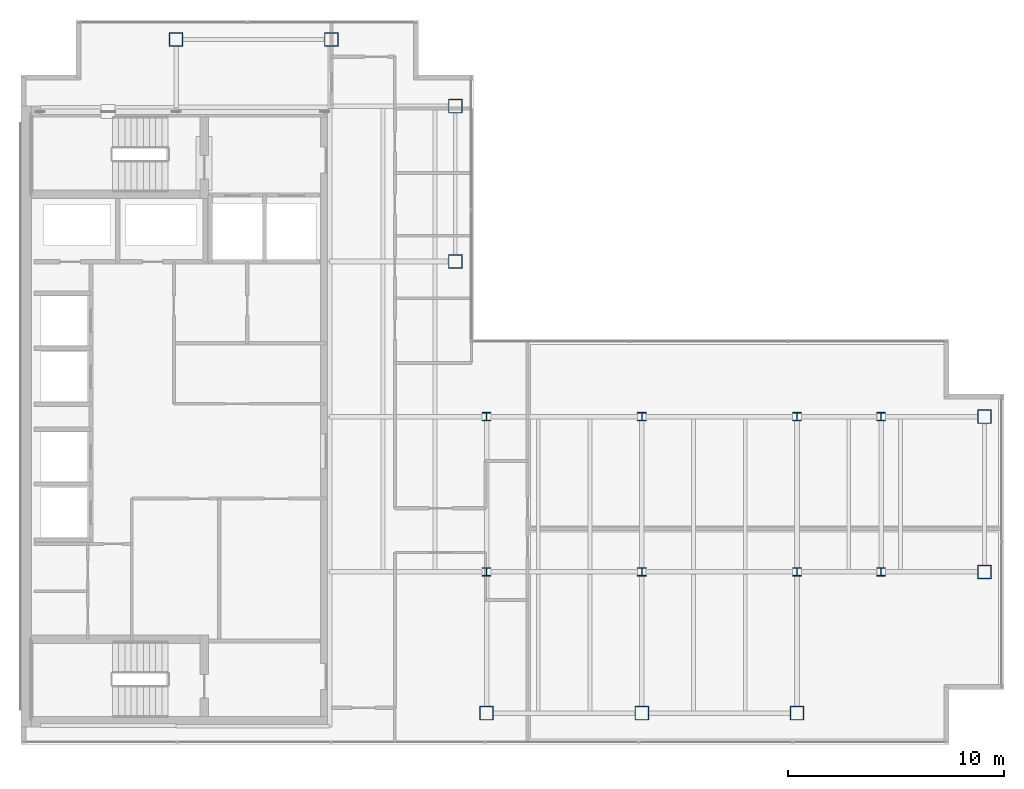
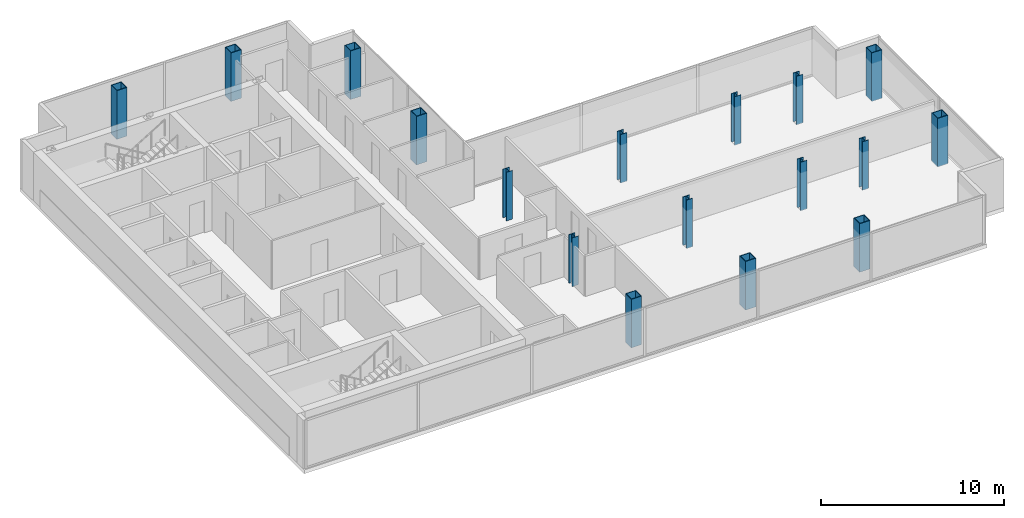
# One storey, part 1 of 23: 17 columns.
"""IFC4 building model written with IfcOpenShell, lengths in metres."""

from ifc_helpers import new_model, si_unit, direction, frame, origin, origin_2d, place, context, subcontext, project, spatial, hollow_rectangle, i_section, extrude, material, material_profile, profile_set, type_object, element, save


model = new_model("IFC4")

# Units and contexts
model_context = context("Model", 3, precision=1e-05, world=origin(), true_north=direction((0.0, 1.0)))
body_context = subcontext(model_context, "Body", "Model", "MODEL_VIEW")
ifc_project = project(units=[si_unit("LENGTHUNIT", "METRE"), si_unit("AREAUNIT", "SQUARE_METRE"), si_unit("VOLUMEUNIT", "CUBIC_METRE"), si_unit("PLANEANGLEUNIT", "RADIAN"), si_unit("MASSUNIT", "GRAM", prefix="KILO")], contexts=[model_context])

# Site, building, storey
site_placement = place(None, origin())
site = spatial("IfcSite", under=ifc_project, at=site_placement, CompositionType="ELEMENT")
building_placement = place(site_placement, origin())
building = spatial("IfcBuilding", under=site, at=building_placement, Name="Cobrela Telecom Tower", CompositionType="ELEMENT")
storey_placement = place(building_placement, frame((0.0, 0.0, 251.64990234375)))
storey = spatial("IfcBuildingStorey", under=building, at=storey_placement, Name="L65", CompositionType="ELEMENT", Elevation=251.64990234375)

# Columns
ifc_material_1 = material(Name="Steel ASTM A992 Grade 50", Category="steel")
ifc_material_profile_1 = material_profile(ifc_material_1, i_section(OverallWidth=0.39892578125, OverallDepth=0.39404296875, WebThickness=0.022705078125, FlangeThickness=0.03662109375, FilletRadius=0.01806640625, at=origin_2d()), Name="W14X193")
ifc_profile_set_1 = profile_set([ifc_material_profile_1], Name="Steel ASTM A992 Grade 50")
column_type_1 = type_object("IfcColumnType", Name="COL-INT-06", PredefinedType="COLUMN", material=ifc_profile_set_1)
for number, where, z_axis, x_axis, name in (
    (1, (21.60009765625, 14.39990234375, 0.0), (0.0, 0.0, 1.0), (1.0, 0.0, 0.0), "L65 Interior Column 06"),
    (2, (21.60009765625, 21.60009765625, 0.0), (0.0, 0.0, 1.0), (1.0, 0.0, 0.0), "L65 Interior Column 07"),
    (3, (28.800048828125, 14.39990234375, 0.0), (0.0, 0.0, 1.0), (1.0, 0.0, 0.0), "L65 Interior Column 09"),
    (4, (28.800048828125, 21.60009765625, 0.0), (0.0, 0.0, 1.0), (1.0, 0.0, 0.0), "L65 Interior Column 10"),
    (5, (36.0, 14.39990234375, 0.0), (0.0, 0.0, 1.0), (1.0, 0.0, 0.0), "L65 Interior Column 12"),
    (6, (36.0, 21.60009765625, 0.0), (0.0, 0.0, 1.0), (1.0, 0.0, 0.0), "L65 Interior Column 13"),
    (7, (39.89990234375, 14.39990234375, 0.0), (0.0, 0.0, 1.0), (1.0, 0.0, 0.0), "L65 Interior Column 14"),
    (8, (39.89990234375, 21.60009765625, 0.0), (0.0, 0.0, 1.0), (1.0, 0.0, 0.0), "L65 Interior Column 15"),
):
    element("IfcColumn", number, at=place(storey_placement, frame(where, z_axis=z_axis, x_axis=x_axis)), inside=storey, type_object=column_type_1, Name=name, PredefinedType="COLUMN", context=body_context, shape_type="SweptSolid", body=[
        extrude(i_section(OverallWidth=0.39892578125, OverallDepth=0.39404296875, WebThickness=0.022705078125, FlangeThickness=0.03662109375, FilletRadius=0.01806640625, at=origin_2d()), origin(), (0.0, 0.0, 1.0), 3.239990234375),
    ])
ifc_material_2 = material(Name="Steel ASTM A572 Grade 50", Category="steel")
ifc_material_profile_2 = material_profile(ifc_material_2, hollow_rectangle(XDim=0.64990234375, YDim=0.64990234375, WallThickness=0.0400390625, at=origin_2d()), Name="BOX 650x650x40")
ifc_profile_set_2 = profile_set([ifc_material_profile_2], Name="Steel ASTM A572 Grade 50")
column_type_2 = type_object("IfcColumnType", Name="COL-MEGA-09", PredefinedType="COLUMN", material=ifc_profile_set_2)
for number, where, z_axis, x_axis, name in (
    (9, (7.199951171875, 39.10009765625, 0.0), (0.0, 0.0, 1.0), (1.0, 0.0, 0.0), "L65 Perimeter Mega-Column 01"),
    (10, (14.39990234375, 39.10009765625, 0.0), (0.0, 0.0, 1.0), (1.0, 0.0, 0.0), "L65 Perimeter Mega-Column 02"),
    (11, (20.14990234375, 28.800048828125, 0.0), (0.0, 0.0, 1.0), (1.0, 0.0, 0.0), "L65 Perimeter Mega-Column 03"),
    (12, (20.14990234375, 36.0, 0.0), (0.0, 0.0, 1.0), (1.0, 0.0, 0.0), "L65 Perimeter Mega-Column 04"),
    (13, (21.60009765625, 7.85009765625, 0.0), (0.0, 0.0, 1.0), (1.0, 0.0, 0.0), "L65 Perimeter Mega-Column 05"),
    (14, (28.800048828125, 7.85009765625, 0.0), (0.0, 0.0, 1.0), (1.0, 0.0, 0.0), "L65 Perimeter Mega-Column 08"),
    (15, (36.0, 7.85009765625, 0.0), (0.0, 0.0, 1.0), (1.0, 0.0, 0.0), "L65 Perimeter Mega-Column 11"),
    (16, (44.699951171875, 14.39990234375, 0.0), (0.0, 0.0, 1.0), (1.0, 0.0, 0.0), "L65 Perimeter Mega-Column 16"),
    (17, (44.699951171875, 21.60009765625, 0.0), (0.0, 0.0, 1.0), (1.0, 0.0, 0.0), "L65 Perimeter Mega-Column 17"),
):
    element("IfcColumn", number, at=place(storey_placement, frame(where, z_axis=z_axis, x_axis=x_axis)), inside=storey, type_object=column_type_2, Name=name, PredefinedType="COLUMN", context=body_context, shape_type="SweptSolid", body=[
        extrude(hollow_rectangle(XDim=0.64990234375, YDim=0.64990234375, WallThickness=0.0400390625, at=origin_2d()), origin(), (0.0, 0.0, 1.0), 3.239990234375),
    ])

save(model, "model.ifc")
